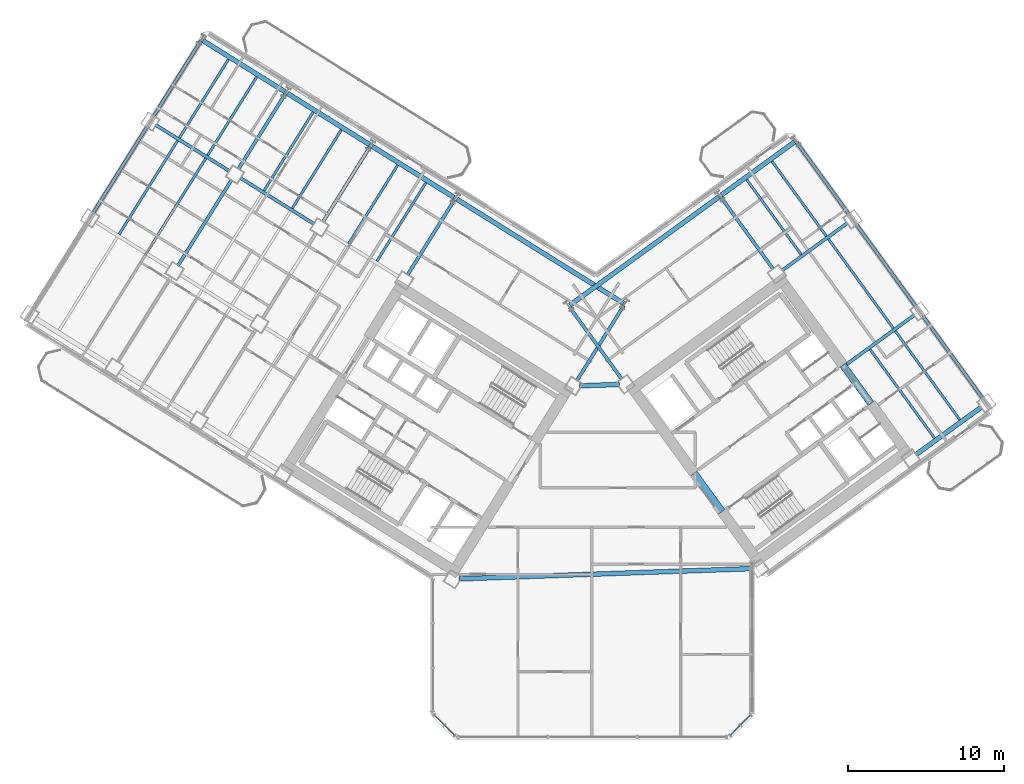
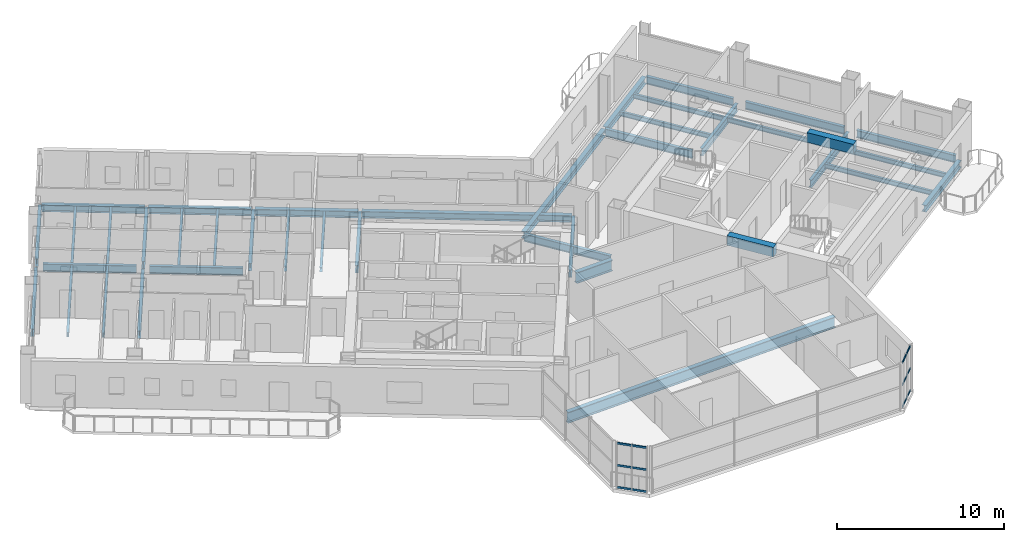
# One storey, part 7 of 21: 40 beams, 12 members, 2 elements without a shape of their own.
"""IFC4 building model written with IfcOpenShell, lengths in metres."""

from ifc_helpers import new_model, si_unit, direction, frame, origin, origin_2d, place, context, subcontext, project, spatial, rectangle, hollow_rectangle, i_section, extrude, source, transform, mapped, material, material_profile, profile_set, type_object, element, aggregate, save


model = new_model("IFC4")

# Units and contexts
model_context = context("Model", 3, precision=1e-05, world=origin(), true_north=direction((0.0, 1.0)))
body_context = subcontext(model_context, "Body", "Model", "MODEL_VIEW")
ifc_project = project(units=[si_unit("LENGTHUNIT", "METRE"), si_unit("AREAUNIT", "SQUARE_METRE"), si_unit("VOLUMEUNIT", "CUBIC_METRE"), si_unit("PLANEANGLEUNIT", "RADIAN"), si_unit("MASSUNIT", "GRAM", prefix="KILO")], contexts=[model_context])

# Site, building, storey
site_placement = place(None, origin())
site = spatial("IfcSite", under=ifc_project, at=site_placement, CompositionType="ELEMENT")
building_placement = place(site_placement, origin())
building = spatial("IfcBuilding", under=site, at=building_placement, Name="Tlacorven Tower", CompositionType="ELEMENT")
storey_placement = place(building_placement, frame((0.0, 0.0, 90.0)))
storey = spatial("IfcBuildingStorey", under=building, at=storey_placement, Name="L22", CompositionType="ELEMENT", Elevation=90.0)

# Beams
ifc_material_1 = material(Name="Concrete C60/75", Category="concrete")
ifc_material_profile_1 = material_profile(ifc_material_1, rectangle(XDim=0.449951171875, YDim=0.699951171875, at=origin_2d()), Name="RC 450X700")
ifc_profile_set_1 = profile_set([ifc_material_profile_1], Name="Concrete C60/75")
beam_type_1 = type_object("IfcBeamType", Name="BM-LNT-700", PredefinedType="LINTEL", material=ifc_profile_set_1)
shared_shape_1 = source(origin(), body_context, "Body", "SweptSolid", [
    extrude(rectangle(XDim=0.449951171875, YDim=0.699951171875, at=origin_2d()), origin(), (0.0, 0.0, 1.0), 3.050048828125),
])
for number, where, z_axis, x_axis, name in (
    (1, (50.318359375, 16.416015625, 3.0), (-0.587776590479, 0.80902328748, 0.0), (-0.80902328748, -0.587776590479, 0.0), "L22 E core coupling lintel beam E1"),
    (2, (59.856689453125, 23.345947265625, 3.0), (-0.587776590479, 0.80902328748, 0.0), (-0.80902328748, -0.587776590479, 0.0), "L22 E core coupling lintel beam E2"),
):
    element("IfcBeam", number, at=place(storey_placement, frame(where, z_axis=z_axis, x_axis=x_axis)), inside=storey, type_object=beam_type_1, Name=name, PredefinedType="LINTEL", context=body_context, shape_type="MappedRepresentation", body=[
        mapped(shared_shape_1, transform((0.0, 0.0, 0.0), scale=1.0)),
    ])
ifc_material_2 = material(Name="Steel S355J2", Category="steel")
ifc_material_profile_2 = material_profile(ifc_material_2, i_section(OverallWidth=0.300048828125, OverallDepth=0.489990234375, WebThickness=0.011962890625, FlangeThickness=0.02294921875, at=origin_2d()), Name="HEA 500")
ifc_profile_set_2 = profile_set([ifc_material_profile_2], Name="Steel S355J2")
beam_type_2 = type_object("IfcBeamType", Name="BM-SPN-500", PredefinedType="SPANDREL", material=ifc_profile_set_2)
shared_shape_2 = source(origin(), body_context, "Body", "SweptSolid", [
    extrude(i_section(OverallWidth=0.300048828125, OverallDepth=0.489990234375, WebThickness=0.011962890625, FlangeThickness=0.02294921875, at=origin_2d()), origin(), (0.0, 0.0, 1.0), 12.599853515625),
])
beam_1_placement = place(storey_placement, frame((43.983642578125, 29.779296875, -0.4951171875), z_axis=(-0.848045108756, 0.529924045043, 0.0), x_axis=(-0.529924045043, -0.848045108756, 0.0)))
element("IfcBeam", 3, at=beam_1_placement, inside=storey, type_object=beam_type_2, Name="L22 beam BM-L22-WL1-1", PredefinedType="SPANDREL", context=body_context, shape_type="MappedRepresentation", body=[
    mapped(shared_shape_2, transform((0.0, 0.0, 0.0), scale=1.0)),
])
shared_shape_3 = source(origin(), body_context, "Body", "SweptSolid", [
    extrude(i_section(OverallWidth=0.300048828125, OverallDepth=0.489990234375, WebThickness=0.011962890625, FlangeThickness=0.02294921875, at=origin_2d()), origin(), (0.0, 0.0, 1.0), 6.199951171875),
])
beam_2_placement = place(storey_placement, frame((33.128662109375, 36.562255859375, -0.4951171875), z_axis=(-0.848051394107, 0.529913986372, 0.0), x_axis=(-0.529913986372, -0.848051394107, 0.0)))
element("IfcBeam", 4, at=beam_2_placement, inside=storey, type_object=beam_type_2, Name="L22 beam BM-L22-WL1-3", PredefinedType="SPANDREL", context=body_context, shape_type="MappedRepresentation", body=[
    mapped(shared_shape_3, transform((0.0, 0.0, 0.0), scale=1.0)),
])
shared_shape_4 = source(origin(), body_context, "Body", "SweptSolid", [
    extrude(i_section(OverallWidth=0.300048828125, OverallDepth=0.489990234375, WebThickness=0.011962890625, FlangeThickness=0.02294921875, at=origin_2d()), origin(), (0.0, 0.0, 1.0), 11.800048828125),
])
beam_3_placement = place(storey_placement, frame((40.560302734375, 29.65966796875, -0.4951171875), z_axis=(0.80900977213, 0.587795192732, 0.0), x_axis=(-0.587795192732, 0.80900977213, 0.0)))
element("IfcBeam", 5, at=beam_3_placement, inside=storey, type_object=beam_type_2, Name="L22 beam BM-L22-EL4-1", PredefinedType="SPANDREL", context=body_context, shape_type="MappedRepresentation", body=[
    mapped(shared_shape_4, transform((0.0, 0.0, 0.0), scale=1.0)),
])
shared_shape_5 = source(origin(), body_context, "Body", "SweptSolid", [
    extrude(i_section(OverallWidth=0.300048828125, OverallDepth=0.489990234375, WebThickness=0.011962890625, FlangeThickness=0.02294921875, at=origin_2d()), origin(), (0.0, 0.0, 1.0), 5.800048828125),
])
beam_4_placement = place(storey_placement, frame((50.2685546875, 36.713134765625, -0.4951171875), z_axis=(0.809019944521, 0.587781191743, 0.0), x_axis=(-0.587781191743, 0.809019944521, 0.0)))
element("IfcBeam", 6, at=beam_4_placement, inside=storey, type_object=beam_type_2, Name="L22 beam BM-L22-EL4-3", PredefinedType="SPANDREL", context=body_context, shape_type="MappedRepresentation", body=[
    mapped(shared_shape_5, transform((0.0, 0.0, 0.0), scale=1.0)),
])
shared_shape_6 = source(origin(), body_context, "Body", "SweptSolid", [
    extrude(i_section(OverallWidth=0.300048828125, OverallDepth=0.489990234375, WebThickness=0.011962890625, FlangeThickness=0.02294921875, at=origin_2d()), origin(), (0.0, 0.0, 1.0), 6.2001953125),
])
for number, where, z_axis, x_axis, name in (
    (7, (27.701171875, 39.95361328125, -0.4951171875), (-0.84804475579, 0.5299246099, 0.0), (-0.5299246099, -0.84804475579, 0.0), "L22 beam BM-L22-WL1-4"),
    (8, (22.273681640625, 43.34521484375, -0.4951171875), (-0.848062451332, 0.529896290457, 0.0), (-0.529896290457, -0.848062451332, 0.0), "L22 beam BM-L22-WL1-5"),
):
    element("IfcBeam", number, at=place(storey_placement, frame(where, z_axis=z_axis, x_axis=x_axis)), inside=storey, type_object=beam_type_2, Name=name, PredefinedType="SPANDREL", context=body_context, shape_type="MappedRepresentation", body=[
        mapped(shared_shape_6, transform((0.0, 0.0, 0.0), scale=1.0)),
    ])
ifc_material_profile_3 = material_profile(ifc_material_2, i_section(OverallWidth=0.2099609375, OverallDepth=0.550048828125, WebThickness=0.010986328125, FlangeThickness=0.01708984375, at=origin_2d()), Name="IPE 550")
ifc_profile_set_3 = profile_set([ifc_material_profile_3], Name="Steel S355J2")
beam_type_3 = type_object("IfcBeamType", Name="BM-TWR-550", PredefinedType="BEAM", material=ifc_profile_set_3)
shared_shape_7 = source(origin(), body_context, "Body", "SweptSolid", [
    extrude(i_section(OverallWidth=0.2099609375, OverallDepth=0.550048828125, WebThickness=0.010986328125, FlangeThickness=0.01708984375, at=origin_2d()), origin(), (0.0, 0.0, 1.0), 5.599853515625),
])
for number, where, z_axis, x_axis, name in (
    (9, (24.1611328125, 34.854736328125, -0.52490234375), (-0.848047285686, 0.529920561254, 0.0), (-0.529920561254, -0.848047285686, 0.0), "L22 beam BM-L22-WL2-4"),
    (10, (18.733642578125, 38.246337890625, -0.52490234375), (-0.848047285686, 0.529920561254, 0.0), (-0.529920561254, -0.848047285686, 0.0), "L22 beam BM-L22-WL2-5"),
):
    element("IfcBeam", number, at=place(storey_placement, frame(where, z_axis=z_axis, x_axis=x_axis)), inside=storey, type_object=beam_type_3, Name=name, PredefinedType="BEAM", context=body_context, shape_type="MappedRepresentation", body=[
        mapped(shared_shape_7, transform((0.0, 0.0, 0.0), scale=1.0)),
    ])
shared_shape_8 = source(origin(), body_context, "Body", "SweptSolid", [
    extrude(i_section(OverallWidth=0.2099609375, OverallDepth=0.550048828125, WebThickness=0.010986328125, FlangeThickness=0.01708984375, at=origin_2d()), origin(), (0.0, 0.0, 1.0), 5.7001953125),
])
for number, where, z_axis, x_axis, name in (
    (11, (44.015380859375, 29.6416015625, -0.52490234375), (-0.529906537151, -0.848056048787, 0.0), (0.848056048787, -0.529906537151, 0.0), "L22 beam BM-L22-WT1-1"),
    (12, (33.160400390625, 36.424560546875, -0.52490234375), (-0.529906537151, -0.848056048787, 0.0), (0.848056048787, -0.529906537151, 0.0), "L22 beam BM-L22-WT3-1"),
    (13, (22.305419921875, 43.20751953125, -0.52490234375), (-0.529906537151, -0.848056048787, 0.0), (0.848056048787, -0.529906537151, 0.0), "L22 beam BM-L22-WT5-1"),
):
    element("IfcBeam", number, at=place(storey_placement, frame(where, z_axis=z_axis, x_axis=x_axis)), inside=storey, type_object=beam_type_3, Name=name, PredefinedType="BEAM", context=body_context, shape_type="MappedRepresentation", body=[
        mapped(shared_shape_8, transform((0.0, 0.0, 0.0), scale=1.0)),
    ])
shared_shape_9 = source(origin(), body_context, "Body", "SweptSolid", [
    extrude(i_section(OverallWidth=0.2099609375, OverallDepth=0.550048828125, WebThickness=0.010986328125, FlangeThickness=0.01708984375, at=origin_2d()), origin(), (0.0, 0.0, 1.0), 5.699951171875),
])
for number, where, z_axis, x_axis, name in (
    (14, (27.73291015625, 39.81591796875, -0.52490234375), (-0.529925785607, -0.848044021115, 0.0), (0.848044021115, -0.529925785607, 0.0), "L22 beam BM-L22-WT4-1"),
    (15, (16.8779296875, 46.598876953125, -0.52490234375), (-0.529925785607, -0.848044021115, 0.0), (0.848044021115, -0.529925785607, 0.0), "L22 beam BM-L22-WT6-1"),
    (16, (43.888671875, 24.90869140625, -0.52490234375), (-0.587787066966, 0.809015675935, 0.0), (-0.809015675935, -0.587787066966, 0.0), "L22 beam BM-L22-ET1-2"),
    (17, (53.596923828125, 31.962158203125, -0.52490234375), (-0.587787066966, 0.809015675935, 0.0), (-0.809015675935, -0.587787066966, 0.0), "L22 beam BM-L22-ET3-2"),
    (18, (58.450927734375, 35.48876953125, -0.52490234375), (-0.587787066966, 0.809015675935, 0.0), (-0.809015675935, -0.587787066966, 0.0), "L22 beam BM-L22-ET4-3"),
):
    element("IfcBeam", number, at=place(storey_placement, frame(where, z_axis=z_axis, x_axis=x_axis)), inside=storey, type_object=beam_type_3, Name=name, PredefinedType="BEAM", context=body_context, shape_type="MappedRepresentation", body=[
        mapped(shared_shape_9, transform((0.0, 0.0, 0.0), scale=1.0)),
    ])
shared_shape_10 = source(origin(), body_context, "Body", "SweptSolid", [
    extrude(i_section(OverallWidth=0.2099609375, OverallDepth=0.550048828125, WebThickness=0.010986328125, FlangeThickness=0.01708984375, at=origin_2d()), origin(), (0.0, 0.0, 1.0), 6.5),
])
for number, where, z_axis, x_axis, name in (
    (19, (13.433349609375, 41.086669921875, -0.52490234375), (-0.529894274829, -0.848063710757, 0.0), (0.848063710757, -0.529894274829, 0.0), "L22 beam BM-L22-WT6-2"),
    (20, (67.03271484375, 23.67724609375, -0.52490234375), (-0.587809847215, 0.808999124547, 0.0), (-0.808999124547, -0.587809847215, 0.0), "L22 beam BM-L22-ET4-1"),
    (21, (62.74169921875, 29.5830078125, -0.52490234375), (-0.587785264321, 0.809016985636, 0.0), (-0.809016985636, -0.587785264321, 0.0), "L22 beam BM-L22-ET4-2"),
):
    element("IfcBeam", number, at=place(storey_placement, frame(where, z_axis=z_axis, x_axis=x_axis)), inside=storey, type_object=beam_type_3, Name=name, PredefinedType="BEAM", context=body_context, shape_type="MappedRepresentation", body=[
        mapped(shared_shape_10, transform((0.0, 0.0, 0.0), scale=1.0)),
    ])
shared_shape_11 = source(origin(), body_context, "Body", "SweptSolid", [
    extrude(i_section(OverallWidth=0.2099609375, OverallDepth=0.550048828125, WebThickness=0.010986328125, FlangeThickness=0.01708984375, at=origin_2d()), origin(), (0.0, 0.0, 1.0), 6.499755859375),
])
beam_5_placement = place(storey_placement, frame((18.86083984375, 37.695068359375, -0.52490234375), z_axis=(-0.529911154058, -0.848053163902, 0.0), x_axis=(0.848053163902, -0.529911154058, 0.0)))
element("IfcBeam", 22, at=beam_5_placement, inside=storey, type_object=beam_type_3, Name="L22 beam BM-L22-WT5-2", PredefinedType="BEAM", context=body_context, shape_type="MappedRepresentation", body=[
    mapped(shared_shape_11, transform((0.0, 0.0, 0.0), scale=1.0)),
])
shared_shape_12 = source(origin(), body_context, "Body", "SweptSolid", [
    extrude(i_section(OverallWidth=0.300048828125, OverallDepth=0.489990234375, WebThickness=0.011962890625, FlangeThickness=0.02294921875, at=origin_2d()), origin(), (0.0, 0.0, 1.0), 5.199951171875),
])
beam_6_placement = place(storey_placement, frame((62.7373046875, 20.06201171875, -0.4951171875), z_axis=(0.809018206713, 0.587783583648, 0.0), x_axis=(-0.587783583648, 0.809018206713, 0.0)))
element("IfcBeam", 23, at=beam_6_placement, inside=storey, type_object=beam_type_2, Name="L22 beam BM-L22-EL1-3", PredefinedType="SPANDREL", context=body_context, shape_type="MappedRepresentation", body=[
    mapped(shared_shape_12, transform((0.0, 0.0, 0.0), scale=1.0)),
])
shared_shape_13 = source(origin(), body_context, "Body", "SweptSolid", [
    extrude(i_section(OverallWidth=0.2099609375, OverallDepth=0.550048828125, WebThickness=0.010986328125, FlangeThickness=0.01708984375, at=origin_2d()), origin(), (0.0, 0.0, 1.0), 5.56005859375),
])
beam_7_placement = place(storey_placement, frame((58.155029296875, 25.756103515625, -0.52490234375), z_axis=(0.809028396397, 0.587769558435, 0.0), x_axis=(-0.587769558435, 0.809028396397, 0.0)))
element("IfcBeam", 24, at=beam_7_placement, inside=storey, type_object=beam_type_3, Name="L22 beam BM-L22-EL2-3", PredefinedType="BEAM", context=body_context, shape_type="MappedRepresentation", body=[
    mapped(shared_shape_13, transform((0.0, 0.0, 0.0), scale=1.0)),
])
shared_shape_14 = source(origin(), body_context, "Body", "SweptSolid", [
    extrude(i_section(OverallWidth=0.2099609375, OverallDepth=0.550048828125, WebThickness=0.010986328125, FlangeThickness=0.01708984375, at=origin_2d()), origin(), (0.0, 0.0, 1.0), 5.2001953125),
])
beam_8_placement = place(storey_placement, frame((54.155517578125, 31.87353515625, -0.52490234375), z_axis=(0.80901210161, 0.587791986546, 0.0), x_axis=(-0.587791986546, 0.80901210161, 0.0)))
element("IfcBeam", 25, at=beam_8_placement, inside=storey, type_object=beam_type_3, Name="L22 beam BM-L22-EL3-3", PredefinedType="BEAM", context=body_context, shape_type="MappedRepresentation", body=[
    mapped(shared_shape_14, transform((0.0, 0.0, 0.0), scale=1.0)),
])
ifc_material_profile_4 = material_profile(ifc_material_2, i_section(OverallWidth=0.300048828125, OverallDepth=0.800048828125, WebThickness=0.017578125, FlangeThickness=0.032958984375, at=origin_2d()), Name="HEB 800")
ifc_profile_set_4 = profile_set([ifc_material_profile_4], Name="Steel S355J2")
beam_type_4 = type_object("IfcBeamType", Name="BM-POD-800", PredefinedType="BEAM", material=ifc_profile_set_4)
shared_shape_15 = source(origin(), body_context, "Body", "SweptSolid", [
    extrude(i_section(OverallWidth=0.300048828125, OverallDepth=0.800048828125, WebThickness=0.017578125, FlangeThickness=0.032958984375, at=origin_2d()), origin(), (0.0, 0.0, 1.0), 2.542724609375),
])
beam_9_placement = place(storey_placement, frame((41.1826171875, 24.482421875, -0.64990234375), z_axis=(0.999392467766, 0.034852480142, 0.0), x_axis=(-0.034852480142, 0.999392467766, 0.0)))
element("IfcBeam", 26, at=beam_9_placement, inside=storey, type_object=beam_type_4, Name="L22 Knuckle Link Girder 1", PredefinedType="BEAM", context=body_context, shape_type="MappedRepresentation", body=[
    mapped(shared_shape_15, transform((0.0, 0.0, 0.0), scale=1.0)),
])
shared_shape_16 = source(origin(), body_context, "Body", "SweptSolid", [
    extrude(i_section(OverallWidth=0.300048828125, OverallDepth=0.800048828125, WebThickness=0.017578125, FlangeThickness=0.032958984375, at=origin_2d()), origin(), (0.0, 0.0, 1.0), 18.871337890625),
])
beam_10_placement = place(storey_placement, frame((33.44580078125, 12.100830078125, -0.64990234375), z_axis=(0.999390659804, 0.034904284792, 0.0), x_axis=(-0.034904284792, 0.999390659804, 0.0)))
element("IfcBeam", 27, at=beam_10_placement, inside=storey, type_object=beam_type_4, Name="L22 Knuckle Link Girder 2", PredefinedType="BEAM", context=body_context, shape_type="MappedRepresentation", body=[
    mapped(shared_shape_16, transform((0.0, 0.0, 0.0), scale=1.0)),
])
ifc_material_profile_5 = material_profile(ifc_material_2, i_section(OverallWidth=0.159912109375, OverallDepth=0.330078125, WebThickness=0.007568359375, FlangeThickness=0.011474609375, at=origin_2d()), Name="IPE 330")
ifc_profile_set_5 = profile_set([ifc_material_profile_5], Name="Steel S355J2")
beam_type_5 = type_object("IfcBeamType", Name="BM-JST-330", PredefinedType="JOIST", material=ifc_profile_set_5)
shared_shape_17 = source(origin(), body_context, "Body", "SweptSolid", [
    extrude(i_section(OverallWidth=0.159912109375, OverallDepth=0.330078125, WebThickness=0.007568359375, FlangeThickness=0.011474609375, at=origin_2d()), origin(), (0.0, 0.0, 1.0), 5.93505859375),
])
for number, where, z_axis, x_axis, name in (
    (28, (31.322265625, 37.50830078125, -0.4150390625), (-0.529939778535, -0.848035277053, 0.0), (0.848035277053, -0.529939778535, 0.0), "L22 beam BM-L22-WJ3-1-1"),
    (29, (29.512939453125, 38.638916015625, -0.4150390625), (-0.529910194899, -0.848053763238, 0.0), (0.848053763238, -0.529910194899, 0.0), "L22 beam BM-L22-WJ3-1-2"),
    (30, (24.08544921875, 42.0302734375, -0.4150390625), (-0.529910194899, -0.848053763238, 0.0), (0.848053763238, -0.529910194899, 0.0), "L22 beam BM-L22-WJ4-1-2"),
    (31, (20.467041015625, 44.291259765625, -0.4150390625), (-0.529910194899, -0.848053763238, 0.0), (0.848053763238, -0.529910194899, 0.0), "L22 beam BM-L22-WJ5-1-1"),
    (32, (18.657958984375, 45.421875, -0.4150390625), (-0.529910194899, -0.848053763238, 0.0), (0.848053763238, -0.529910194899, 0.0), "L22 beam BM-L22-WJ5-1-2"),
    (33, (55.38525390625, 32.903076171875, -0.4150390625), (-0.58778762431, 0.809015270998, 0.0), (-0.809015270998, -0.58778762431, 0.0), "L22 beam BM-L22-EJ3-3-1"),
    (34, (57.00341796875, 34.07861328125, -0.4150390625), (-0.58778762431, 0.809015270998, 0.0), (-0.809015270998, -0.58778762431, 0.0), "L22 beam BM-L22-EJ3-3-2"),
):
    element("IfcBeam", number, at=place(storey_placement, frame(where, z_axis=z_axis, x_axis=x_axis)), inside=storey, type_object=beam_type_5, Name=name, PredefinedType="JOIST", context=body_context, shape_type="MappedRepresentation", body=[
        mapped(shared_shape_17, transform((0.0, 0.0, 0.0), scale=1.0)),
    ])
shared_shape_18 = source(origin(), body_context, "Body", "SweptSolid", [
    extrude(i_section(OverallWidth=0.159912109375, OverallDepth=0.330078125, WebThickness=0.007568359375, FlangeThickness=0.011474609375, at=origin_2d()), origin(), (0.0, 0.0, 1.0), 7.080078125),
])
for number, where, z_axis, x_axis, name in (
    (35, (17.20556640625, 39.071533203125, -0.4150390625), (-0.529933847046, -0.848038983629, 0.0), (0.848038983629, -0.529933847046, 0.0), "L22 beam BM-L22-WJ5-2-1"),
    (36, (15.396240234375, 40.2021484375, -0.4150390625), (-0.529893550998, -0.848064163027, 0.0), (0.848064163027, -0.529893550998, 0.0), "L22 beam BM-L22-WJ5-2-2"),
    (37, (61.294189453125, 28.1728515625, -0.4150390625), (-0.587798472288, 0.809007389321, 0.0), (-0.809007389321, -0.587798472288, 0.0), "L22 beam BM-L22-EJ3-2-2"),
):
    element("IfcBeam", number, at=place(storey_placement, frame(where, z_axis=z_axis, x_axis=x_axis)), inside=storey, type_object=beam_type_5, Name=name, PredefinedType="JOIST", context=body_context, shape_type="MappedRepresentation", body=[
        mapped(shared_shape_18, transform((0.0, 0.0, 0.0), scale=1.0)),
    ])
shared_shape_19 = source(origin(), body_context, "Body", "SweptSolid", [
    extrude(i_section(OverallWidth=0.159912109375, OverallDepth=0.330078125, WebThickness=0.007568359375, FlangeThickness=0.011474609375, at=origin_2d()), origin(), (0.0, 0.0, 1.0), 7.03515625),
])
beam_11_placement = place(storey_placement, frame((63.9404296875, 21.127685546875, -0.4150390625), z_axis=(-0.58776512903, 0.809031614399, 0.0), x_axis=(-0.809031614399, -0.58776512903, 0.0)))
element("IfcBeam", 38, at=beam_11_placement, inside=storey, type_object=beam_type_5, Name="L22 beam BM-L22-EJ3-1-1", PredefinedType="JOIST", context=body_context, shape_type="MappedRepresentation", body=[
    mapped(shared_shape_19, transform((0.0, 0.0, 0.0), scale=1.0)),
])
shared_shape_20 = source(origin(), body_context, "Body", "SweptSolid", [
    extrude(i_section(OverallWidth=0.159912109375, OverallDepth=0.330078125, WebThickness=0.007568359375, FlangeThickness=0.011474609375, at=origin_2d()), origin(), (0.0, 0.0, 1.0), 5.934814453125),
])
beam_12_placement = place(storey_placement, frame((25.894775390625, 40.899658203125, -0.4150390625), z_axis=(-0.529958265352, -0.848023724306, 0.0), x_axis=(0.848023724306, -0.529958265352, 0.0)))
element("IfcBeam", 39, at=beam_12_placement, inside=storey, type_object=beam_type_5, Name="L22 beam BM-L22-WJ4-1-1", PredefinedType="JOIST", context=body_context, shape_type="MappedRepresentation", body=[
    mapped(shared_shape_20, transform((0.0, 0.0, 0.0), scale=1.0)),
])
shared_shape_21 = source(origin(), body_context, "Body", "SweptSolid", [
    extrude(i_section(OverallWidth=0.159912109375, OverallDepth=0.330078125, WebThickness=0.007568359375, FlangeThickness=0.011474609375, at=origin_2d()), origin(), (0.0, 0.0, 1.0), 7.034912109375),
])
beam_13_placement = place(storey_placement, frame((65.55859375, 22.303466796875, -0.4150390625), z_axis=(-0.587781631373, 0.809019625115, 0.0), x_axis=(-0.809019625115, -0.587781631373, 0.0)))
element("IfcBeam", 40, at=beam_13_placement, inside=storey, type_object=beam_type_5, Name="L22 beam BM-L22-EJ3-1-2", PredefinedType="JOIST", context=body_context, shape_type="MappedRepresentation", body=[
    mapped(shared_shape_21, transform((0.0, 0.0, 0.0), scale=1.0)),
])

# Curtain wall, members
ifc_material_3 = material(Name="Dark solar low-E double glazing in aluminium frame", Category="aluminium")
curtain_wall_type = type_object("IfcCurtainWallType", Name="CW-TWR-LOW", PredefinedType="USERDEFINED", material=ifc_material_3)
curtain_wall_1_placement = place(storey_placement, origin())
curtain_wall_1 = element("IfcCurtainWall", 41, at=curtain_wall_1_placement, inside=storey, type_object=curtain_wall_type, Name="L22 CW-TWR-LOW Curtain Wall 115", ObjectType="UNITISED CURTAIN WALL", PredefinedType="USERDEFINED")
ifc_material_4 = material(Name="Aluminium 6063-T6 anodised", Category="aluminium")
ifc_material_profile_6 = material_profile(ifc_material_4, hollow_rectangle(XDim=0.06005859375, YDim=0.139892578125, WallThickness=0.00390625, at=origin_2d()), Name="ALU TRANSOM 60X140")
ifc_profile_set_6 = profile_set([ifc_material_profile_6], Name="Aluminium 6063-T6 anodised")
member_type = type_object("IfcMemberType", Name="CWT-02", PredefinedType="USERDEFINED", material=ifc_profile_set_6)
shared_shape_22 = source(origin(), body_context, "Body", "SweptSolid", [
    extrude(hollow_rectangle(XDim=0.06005859375, YDim=0.139892578125, WallThickness=0.00390625, at=origin_2d()), origin(), (0.0, 0.0, 1.0), 0.8837890625),
])
member_1_placement = place(storey_placement, frame((52.128173828125, 3.3544921875, 0.070068359375), z_axis=(-0.707106781187, -0.707106781187, 0.0), x_axis=(0.707106781187, -0.707106781187, 0.0)))
member_1 = element("IfcMember", 42, at=member_1_placement, type_object=member_type, Name="CW-L22-115 Transom 1", ObjectType="TRANSOM", PredefinedType="USERDEFINED", context=body_context, shape_type="MappedRepresentation", body=[
    mapped(shared_shape_22, transform((0.0, 0.0, 0.0), scale=1.0)),
])
member_2_placement = place(storey_placement, frame((52.128173828125, 3.3544921875, 1.675048828125), z_axis=(-0.707106781187, -0.707106781187, 0.0), x_axis=(0.707106781187, -0.707106781187, 0.0)))
member_2 = element("IfcMember", 43, at=member_2_placement, type_object=member_type, Name="CW-L22-115 Transom 2", ObjectType="TRANSOM", PredefinedType="USERDEFINED", context=body_context, shape_type="MappedRepresentation", body=[
    mapped(shared_shape_22, transform((0.0, 0.0, 0.0), scale=1.0)),
])
member_3_placement = place(storey_placement, frame((52.128173828125, 3.3544921875, 3.280029296875), z_axis=(-0.707106781187, -0.707106781187, 0.0), x_axis=(0.707106781187, -0.707106781187, 0.0)))
member_3 = element("IfcMember", 44, at=member_3_placement, type_object=member_type, Name="CW-L22-115 Transom 3", ObjectType="TRANSOM", PredefinedType="USERDEFINED", context=body_context, shape_type="MappedRepresentation", body=[
    mapped(shared_shape_22, transform((0.0, 0.0, 0.0), scale=1.0)),
])

curtain_wall_2_placement = place(storey_placement, origin())
curtain_wall_2 = element("IfcCurtainWall", 45, at=curtain_wall_2_placement, inside=storey, type_object=curtain_wall_type, Name="L22 CW-TWR-LOW Curtain Wall 117", ObjectType="UNITISED CURTAIN WALL", PredefinedType="USERDEFINED")
member_4_placement = place(storey_placement, frame((32.496826171875, 2.7294921875, 0.070068359375), z_axis=(-0.707106781187, 0.707106781187, 0.0), x_axis=(-0.707106781187, -0.707106781187, 0.0)))
member_4 = element("IfcMember", 46, at=member_4_placement, type_object=member_type, Name="CW-L22-117 Transom 4", ObjectType="TRANSOM", PredefinedType="USERDEFINED", context=body_context, shape_type="MappedRepresentation", body=[
    mapped(shared_shape_22, transform((0.0, 0.0, 0.0), scale=1.0)),
])
member_5_placement = place(storey_placement, frame((32.496826171875, 2.7294921875, 1.675048828125), z_axis=(-0.707106781187, 0.707106781187, 0.0), x_axis=(-0.707106781187, -0.707106781187, 0.0)))
member_5 = element("IfcMember", 47, at=member_5_placement, type_object=member_type, Name="CW-L22-117 Transom 5", ObjectType="TRANSOM", PredefinedType="USERDEFINED", context=body_context, shape_type="MappedRepresentation", body=[
    mapped(shared_shape_22, transform((0.0, 0.0, 0.0), scale=1.0)),
])
member_6_placement = place(storey_placement, frame((32.496826171875, 2.7294921875, 3.280029296875), z_axis=(-0.707106781187, 0.707106781187, 0.0), x_axis=(-0.707106781187, -0.707106781187, 0.0)))
member_6 = element("IfcMember", 48, at=member_6_placement, type_object=member_type, Name="CW-L22-117 Transom 6", ObjectType="TRANSOM", PredefinedType="USERDEFINED", context=body_context, shape_type="MappedRepresentation", body=[
    mapped(shared_shape_22, transform((0.0, 0.0, 0.0), scale=1.0)),
])

# Member
shared_shape_23 = source(origin(), body_context, "Body", "SweptSolid", [
    extrude(hollow_rectangle(XDim=0.06005859375, YDim=0.139892578125, WallThickness=0.00390625, at=origin_2d()), origin(), (0.0, 0.0, 1.0), 0.884033203125),
])
member_7_placement = place(storey_placement, frame((51.470703125, 2.69677734375, 0.070068359375), z_axis=(-0.707244847527, -0.706968687883, 0.0), x_axis=(0.706968687883, -0.707244847527, 0.0)))
member_7 = element("IfcMember", 49, at=member_7_placement, type_object=member_type, Name="CW-L22-115 Transom 4", ObjectType="TRANSOM", PredefinedType="USERDEFINED", context=body_context, shape_type="MappedRepresentation", body=[
    mapped(shared_shape_23, transform((0.0, 0.0, 0.0), scale=1.0)),
])

member_8_placement = place(storey_placement, frame((51.470703125, 2.69677734375, 1.675048828125), z_axis=(-0.707244847527, -0.706968687883, 0.0), x_axis=(0.706968687883, -0.707244847527, 0.0)))
member_8 = element("IfcMember", 50, at=member_8_placement, type_object=member_type, Name="CW-L22-115 Transom 5", ObjectType="TRANSOM", PredefinedType="USERDEFINED", context=body_context, shape_type="MappedRepresentation", body=[
    mapped(shared_shape_23, transform((0.0, 0.0, 0.0), scale=1.0)),
])

member_9_placement = place(storey_placement, frame((51.470703125, 2.69677734375, 3.280029296875), z_axis=(-0.707244847527, -0.706968687883, 0.0), x_axis=(0.706968687883, -0.707244847527, 0.0)))
member_9 = element("IfcMember", 51, at=member_9_placement, type_object=member_type, Name="CW-L22-115 Transom 6", ObjectType="TRANSOM", PredefinedType="USERDEFINED", context=body_context, shape_type="MappedRepresentation", body=[
    mapped(shared_shape_23, transform((0.0, 0.0, 0.0), scale=1.0)),
])

aggregate(curtain_wall_1, [member_1, member_2, member_3, member_7, member_8, member_9])

member_10_placement = place(storey_placement, frame((33.154541015625, 2.07177734375, 0.070068359375), z_axis=(-0.707244847527, 0.706968687883, 0.0), x_axis=(-0.706968687883, -0.707244847527, 0.0)))
member_10 = element("IfcMember", 52, at=member_10_placement, type_object=member_type, Name="CW-L22-117 Transom 1", ObjectType="TRANSOM", PredefinedType="USERDEFINED", context=body_context, shape_type="MappedRepresentation", body=[
    mapped(shared_shape_23, transform((0.0, 0.0, 0.0), scale=1.0)),
])

member_11_placement = place(storey_placement, frame((33.154541015625, 2.07177734375, 1.675048828125), z_axis=(-0.707244847527, 0.706968687883, 0.0), x_axis=(-0.706968687883, -0.707244847527, 0.0)))
member_11 = element("IfcMember", 53, at=member_11_placement, type_object=member_type, Name="CW-L22-117 Transom 2", ObjectType="TRANSOM", PredefinedType="USERDEFINED", context=body_context, shape_type="MappedRepresentation", body=[
    mapped(shared_shape_23, transform((0.0, 0.0, 0.0), scale=1.0)),
])

member_12_placement = place(storey_placement, frame((33.154541015625, 2.07177734375, 3.280029296875), z_axis=(-0.707244847527, 0.706968687883, 0.0), x_axis=(-0.706968687883, -0.707244847527, 0.0)))
member_12 = element("IfcMember", 54, at=member_12_placement, type_object=member_type, Name="CW-L22-117 Transom 3", ObjectType="TRANSOM", PredefinedType="USERDEFINED", context=body_context, shape_type="MappedRepresentation", body=[
    mapped(shared_shape_23, transform((0.0, 0.0, 0.0), scale=1.0)),
])

aggregate(curtain_wall_2, [member_10, member_11, member_12, member_4, member_5, member_6])

save(model, "model.ifc")
